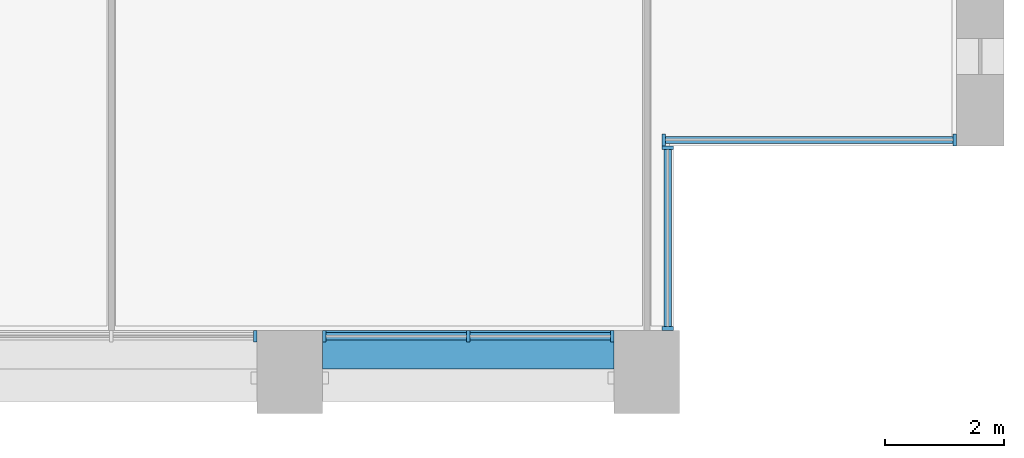
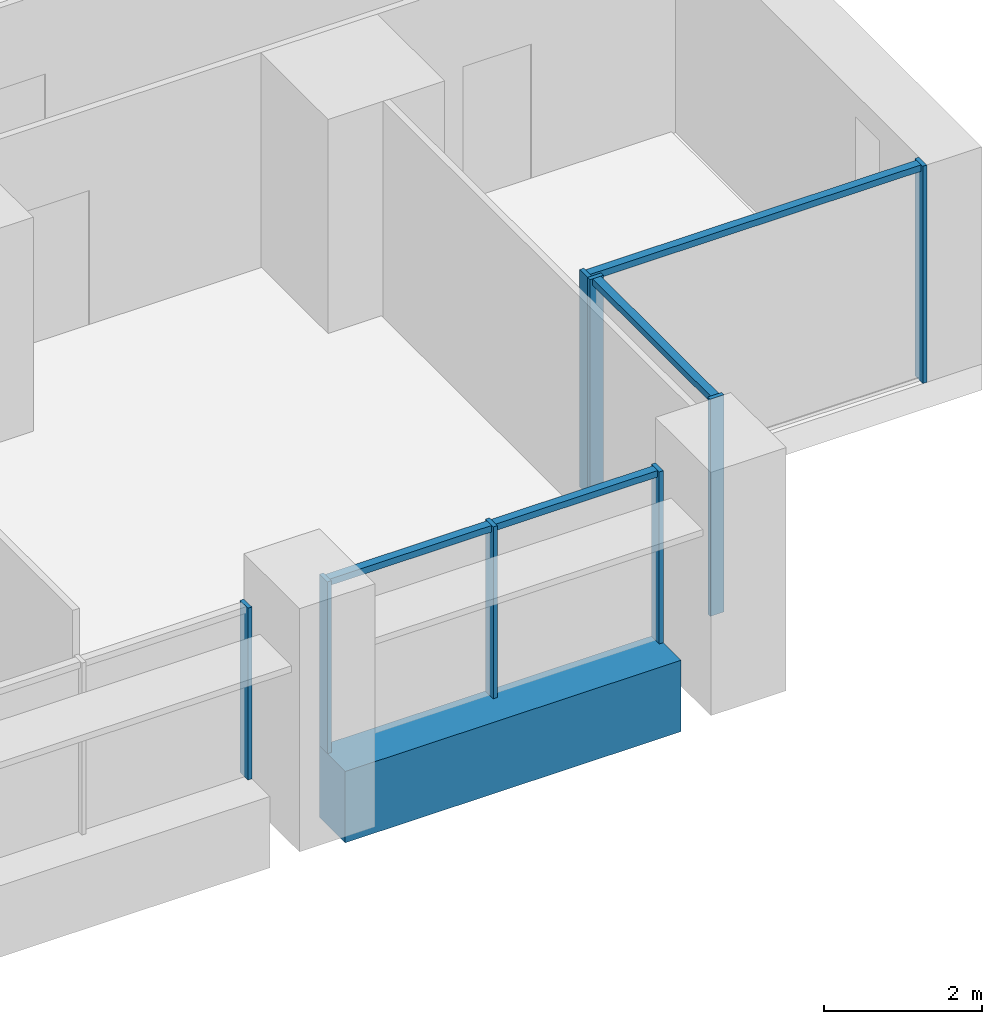
# One storey, part 5 of 18: 12 members, 1 beam, 4 elements without a shape of their own.
"""IFC4 building model written with IfcOpenShell, lengths in metres."""

from ifc_helpers import new_model, si_unit, direction, frame, origin, origin_2d, place, context, subcontext, project, spatial, rectangle, extrude, material, material_profile, profile_set, type_object, element, aggregate, save


model = new_model("IFC4")

# Units and contexts
model_context = context("Model", 3, precision=1e-05, world=origin(), true_north=direction((0.0, 1.0)))
body_context = subcontext(model_context, "Body", "Model", "MODEL_VIEW")
ifc_project = project(units=[si_unit("LENGTHUNIT", "METRE"), si_unit("AREAUNIT", "SQUARE_METRE"), si_unit("VOLUMEUNIT", "CUBIC_METRE"), si_unit("PLANEANGLEUNIT", "RADIAN"), si_unit("MASSUNIT", "GRAM", prefix="KILO")], contexts=[model_context])

# Site, building, storey
site_placement = place(None, origin())
site = spatial("IfcSite", under=ifc_project, at=site_placement, CompositionType="ELEMENT")
building_placement = place(site_placement, origin())
building = spatial("IfcBuilding", under=site, at=building_placement, Name="Calvaro Tower", CompositionType="ELEMENT")
storey_placement = place(building_placement, frame((0.0, 0.0, 48.75)))
storey = spatial("IfcBuildingStorey", under=building, at=storey_placement, Name="L11", CompositionType="ELEMENT", Elevation=48.75)

# Curtain wall, member
ifc_material_1 = material(Name="Anodised aluminium", Category="aluminium")
curtain_wall_type = type_object("IfcCurtainWallType", Name="Office curtain wall, lower zone", PredefinedType="NOTDEFINED", material=ifc_material_1)
curtain_wall_1_placement = place(storey_placement, origin())
curtain_wall_1 = element("IfcCurtainWall", 1, at=curtain_wall_1_placement, inside=storey, type_object=curtain_wall_type, Name="CW1 south curtain wall", PredefinedType="NOTDEFINED")
ifc_material_2 = material(Name="Anodised aluminium", Category="aluminium")
ifc_material_profile_1 = material_profile(ifc_material_2, rectangle(XDim=0.199951171875, YDim=0.06005859375, at=origin_2d()), Name="Mullion S1 60 x 200")
ifc_profile_set_1 = profile_set([ifc_material_profile_1], Name="Anodised aluminium")
member_type_1 = type_object("IfcMemberType", Name="Mullion S1 60 x 200", PredefinedType="MULLION", material=ifc_profile_set_1)
member_1_placement = place(storey_placement, frame((65.419921875, 1.300048828125, 0.0), z_axis=(0.0, 0.0, 1.0), x_axis=(0.0, 1.0, 0.0)))
member_1 = element("IfcMember", 2, at=member_1_placement, type_object=member_type_1, Name="CW1 mullion 3", PredefinedType="MULLION", context=body_context, shape_type="SweptSolid", body=[
    extrude(rectangle(XDim=0.199951171875, YDim=0.06005859375, at=origin_2d()), origin(), (0.0, 0.0, 1.0), 2.64990234375),
])
aggregate(curtain_wall_1, [member_1])

# Curtain wall, members
curtain_wall_2_placement = place(storey_placement, origin())
curtain_wall_2 = element("IfcCurtainWall", 3, at=curtain_wall_2_placement, inside=storey, type_object=curtain_wall_type, Name="CW1 south curtain wall", PredefinedType="NOTDEFINED")
member_2_placement = place(storey_placement, frame((66.580078125, 1.300048828125, 0.0), z_axis=(0.0, 0.0, 1.0), x_axis=(0.0, 1.0, 0.0)))
member_2 = element("IfcMember", 4, at=member_2_placement, type_object=member_type_1, Name="CW1 mullion 1", PredefinedType="MULLION", context=body_context, shape_type="SweptSolid", body=[
    extrude(rectangle(XDim=0.199951171875, YDim=0.06005859375, at=origin_2d()), origin(), (0.0, 0.0, 1.0), 2.64990234375),
])
member_3_placement = place(storey_placement, frame((69.0, 1.300048828125, 0.0), z_axis=(0.0, 0.0, 1.0), x_axis=(0.0, 1.0, 0.0)))
member_3 = element("IfcMember", 5, at=member_3_placement, type_object=member_type_1, Name="CW1 mullion 2", PredefinedType="MULLION", context=body_context, shape_type="SweptSolid", body=[
    extrude(rectangle(XDim=0.199951171875, YDim=0.06005859375, at=origin_2d()), origin(), (0.0, 0.0, 1.0), 2.64990234375),
])
member_4_placement = place(storey_placement, frame((71.419921875, 1.300048828125, 0.0), z_axis=(0.0, 0.0, 1.0), x_axis=(0.0, 1.0, 0.0)))
member_4 = element("IfcMember", 6, at=member_4_placement, type_object=member_type_1, Name="CW1 mullion 3", PredefinedType="MULLION", context=body_context, shape_type="SweptSolid", body=[
    extrude(rectangle(XDim=0.199951171875, YDim=0.06005859375, at=origin_2d()), origin(), (0.0, 0.0, 1.0), 2.64990234375),
])

curtain_wall_3_placement = place(storey_placement, origin())
curtain_wall_3 = element("IfcCurtainWall", 7, at=curtain_wall_3_placement, inside=storey, type_object=curtain_wall_type, Name="CW1 corner curtain wall", PredefinedType="NOTDEFINED")
member_5_placement = place(storey_placement, frame((72.35009765625, 1.429931640625, 0.0), z_axis=(0.0, 0.0, 1.0), x_axis=(-1.0, 0.0, 0.0)))
member_5 = element("IfcMember", 8, at=member_5_placement, type_object=member_type_1, Name="CW1 mullion 1", PredefinedType="MULLION", context=body_context, shape_type="SweptSolid", body=[
    extrude(rectangle(XDim=0.199951171875, YDim=0.06005859375, at=origin_2d()), origin(), (0.0, 0.0, 1.0), 3.35009765625),
])
member_6_placement = place(storey_placement, frame((72.35009765625, 4.469970703125, 0.0), z_axis=(0.0, 0.0, 1.0), x_axis=(-1.0, 0.0, 0.0)))
member_6 = element("IfcMember", 9, at=member_6_placement, type_object=member_type_1, Name="CW1 mullion 2", PredefinedType="MULLION", context=body_context, shape_type="SweptSolid", body=[
    extrude(rectangle(XDim=0.199951171875, YDim=0.06005859375, at=origin_2d()), origin(), (0.0, 0.0, 1.0), 3.35009765625),
])

curtain_wall_4_placement = place(storey_placement, origin())
curtain_wall_4 = element("IfcCurtainWall", 10, at=curtain_wall_4_placement, inside=storey, type_object=curtain_wall_type, Name="CW1 corner curtain wall", PredefinedType="NOTDEFINED")
member_7_placement = place(storey_placement, frame((72.280029296875, 4.60009765625, 0.0), z_axis=(0.0, 0.0, 1.0), x_axis=(0.0, 1.0, 0.0)))
member_7 = element("IfcMember", 11, at=member_7_placement, type_object=member_type_1, Name="CW1 mullion 1", PredefinedType="MULLION", context=body_context, shape_type="SweptSolid", body=[
    extrude(rectangle(XDim=0.199951171875, YDim=0.06005859375, at=origin_2d()), origin(), (0.0, 0.0, 1.0), 3.35009765625),
])
member_8_placement = place(storey_placement, frame((77.169921875, 4.60009765625, 0.0), z_axis=(0.0, 0.0, 1.0), x_axis=(0.0, 1.0, 0.0)))
member_8 = element("IfcMember", 12, at=member_8_placement, type_object=member_type_1, Name="CW1 mullion 2", PredefinedType="MULLION", context=body_context, shape_type="SweptSolid", body=[
    extrude(rectangle(XDim=0.199951171875, YDim=0.06005859375, at=origin_2d()), origin(), (0.0, 0.0, 1.0), 3.35009765625),
])

# Beam
ifc_material_3 = material(Name="Concrete C50/60 precast", Category="concrete")
ifc_material_profile_2 = material_profile(ifc_material_3, rectangle(XDim=0.64990234375, YDim=1.10009765625, at=origin_2d()), Name="RC 650x1100")
ifc_profile_set_2 = profile_set([ifc_material_profile_2], Name="Concrete C50/60 precast")
beam_type = type_object("IfcBeamType", Name="Spandrel beam 650x1100 C50/60", PredefinedType="SPANDREL", material=ifc_profile_set_2)
beam_placement = place(storey_placement, frame((66.550048828125, 1.074951171875, -0.550048828125), z_axis=(1.0, 0.0, 0.0), x_axis=(0.0, 1.0, 0.0)))
element("IfcBeam", 13, at=beam_placement, inside=storey, type_object=beam_type, Name="Spandrel beam", PredefinedType="SPANDREL", context=body_context, shape_type="SweptSolid", body=[
    extrude(rectangle(XDim=0.64990234375, YDim=1.10009765625, at=origin_2d()), origin(), (0.0, 0.0, 1.0), 4.89990234375),
])

# Member
ifc_material_4 = material(Name="Anodised aluminium", Category="aluminium")
ifc_material_profile_3 = material_profile(ifc_material_4, rectangle(XDim=0.1201171875, YDim=0.10009765625, at=origin_2d()), Name="Transom S1 100 x 120")
ifc_profile_set_3 = profile_set([ifc_material_profile_3], Name="Anodised aluminium")
member_type_2 = type_object("IfcMemberType", Name="Transom S1 100 x 120", PredefinedType="USERDEFINED", material=ifc_profile_set_3)
member_9_placement = place(storey_placement, frame((66.610107421875, 1.300048828125, 2.60009765625), z_axis=(1.0, 0.0, 0.0), x_axis=(0.0, 1.0, 0.0)))
member_9 = element("IfcMember", 14, at=member_9_placement, type_object=member_type_2, Name="CW1 transom 1.1", ObjectType="TRANSOM", PredefinedType="USERDEFINED", context=body_context, shape_type="SweptSolid", body=[
    extrude(rectangle(XDim=0.1201171875, YDim=0.10009765625, at=origin_2d()), origin(), (0.0, 0.0, 1.0), 2.35986328125),
])

member_10_placement = place(storey_placement, frame((69.030029296875, 1.300048828125, 2.60009765625), z_axis=(1.0, 0.0, 0.0), x_axis=(0.0, 1.0, 0.0)))
member_10 = element("IfcMember", 15, at=member_10_placement, type_object=member_type_2, Name="CW1 transom 2.1", ObjectType="TRANSOM", PredefinedType="USERDEFINED", context=body_context, shape_type="SweptSolid", body=[
    extrude(rectangle(XDim=0.1201171875, YDim=0.10009765625, at=origin_2d()), origin(), (0.0, 0.0, 1.0), 2.35986328125),
])

aggregate(curtain_wall_2, [member_2, member_3, member_4, member_9, member_10])

member_11_placement = place(storey_placement, frame((72.35009765625, 1.4599609375, 3.300048828125), z_axis=(0.0, 1.0, 0.0), x_axis=(-1.0, 0.0, 0.0)))
member_11 = element("IfcMember", 16, at=member_11_placement, type_object=member_type_2, Name="CW1 transom 1.1", ObjectType="TRANSOM", PredefinedType="USERDEFINED", context=body_context, shape_type="SweptSolid", body=[
    extrude(rectangle(XDim=0.1201171875, YDim=0.10009765625, at=origin_2d()), origin(), (0.0, 0.0, 1.0), 2.97998046875),
])

aggregate(curtain_wall_3, [member_5, member_6, member_11])

member_12_placement = place(storey_placement, frame((72.31005859375, 4.60009765625, 3.300048828125), z_axis=(1.0, 0.0, 0.0), x_axis=(0.0, 1.0, 0.0)))
member_12 = element("IfcMember", 17, at=member_12_placement, type_object=member_type_2, Name="CW1 transom 1.1", ObjectType="TRANSOM", PredefinedType="USERDEFINED", context=body_context, shape_type="SweptSolid", body=[
    extrude(rectangle(XDim=0.1201171875, YDim=0.10009765625, at=origin_2d()), origin(), (0.0, 0.0, 1.0), 4.829833984375),
])

aggregate(curtain_wall_4, [member_7, member_8, member_12])

save(model, "model.ifc")
